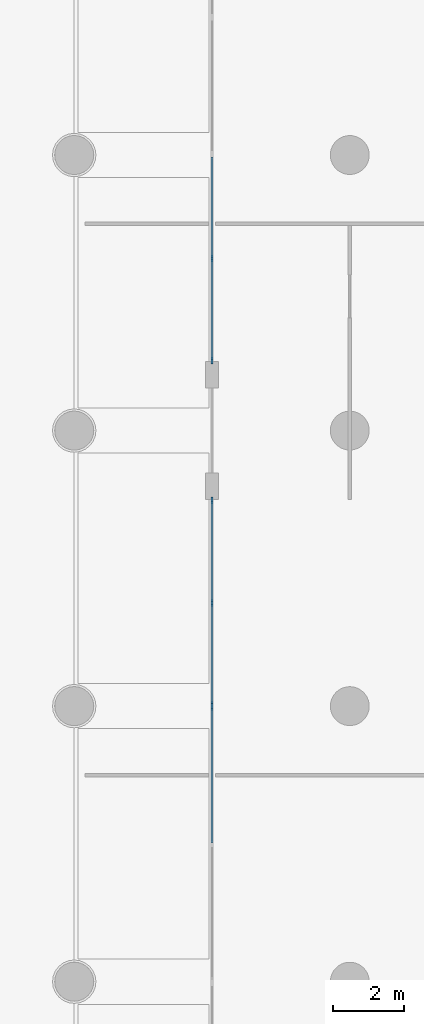
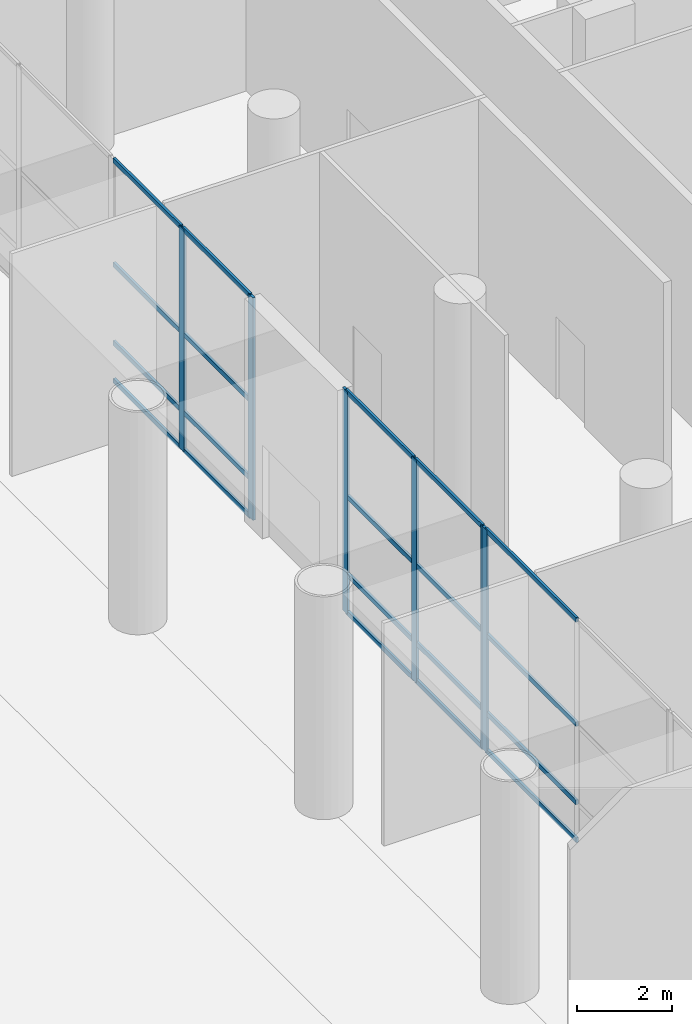
# One storey, part 3 of 32: 26 members, 3 elements without a shape of their own.
"""IFC4 building model written with IfcOpenShell, lengths in metres."""

from ifc_helpers import new_model, si_unit, direction, frame, origin, origin_2d, place, context, subcontext, project, spatial, rectangle, extrude, material, material_profile, profile_set, type_object, element, aggregate, save


model = new_model("IFC4")

# Units and contexts
model_context = context("Model", 3, precision=1e-05, world=origin(), true_north=direction((0.0, 1.0)))
body_context = subcontext(model_context, "Body", "Model", "MODEL_VIEW")
ifc_project = project(units=[si_unit("LENGTHUNIT", "METRE"), si_unit("AREAUNIT", "SQUARE_METRE"), si_unit("VOLUMEUNIT", "CUBIC_METRE"), si_unit("PLANEANGLEUNIT", "RADIAN"), si_unit("MASSUNIT", "GRAM", prefix="KILO")], contexts=[model_context])

# Site, building, storey
site_placement = place(None, origin())
site = spatial("IfcSite", under=ifc_project, at=site_placement, CompositionType="ELEMENT")
building_placement = place(site_placement, origin())
building = spatial("IfcBuilding", under=site, at=building_placement, Name="Ludao Terraces", CompositionType="ELEMENT")
storey_placement = place(building_placement, origin())
storey = spatial("IfcBuildingStorey", under=building, at=storey_placement, Name="L00", CompositionType="ELEMENT", Elevation=0.0)

# Curtain wall, member
ifc_material_1 = material(Name="Aluminium curtain wall with fritted glass", Category="aluminium")
curtain_wall_type = type_object("IfcCurtainWallType", Name="ENV CW2 entrance glazing", PredefinedType="NOTDEFINED", material=ifc_material_1)
curtain_wall_1_placement = place(storey_placement, origin())
curtain_wall_1 = element("IfcCurtainWall", 1, at=curtain_wall_1_placement, inside=storey, type_object=curtain_wall_type, Name="CW-L00-W3", PredefinedType="NOTDEFINED")
ifc_material_2 = material(Name="Aluminium 6063-T6", Category="aluminium")
ifc_material_profile_1 = material_profile(ifc_material_2, rectangle(XDim=0.06005859375, YDim=0.199951171875, at=origin_2d()), Name="60 X 200")
ifc_profile_set_1 = profile_set([ifc_material_profile_1], Name="Aluminium 6063-T6")
member_type_1 = type_object("IfcMemberType", Name="ENV CW2 mullion 60x200", PredefinedType="MULLION", material=ifc_profile_set_1)
member_1_placement = place(storey_placement, frame((49.89990234375, 49.3701171875, 0.0), z_axis=(0.0, 0.0, 1.0), x_axis=(-1.0, 0.0, 0.0)))
member_1 = element("IfcMember", 2, at=member_1_placement, type_object=member_type_1, Name="CW2 mullion 3", PredefinedType="MULLION", context=body_context, shape_type="SweptSolid", body=[
    extrude(rectangle(XDim=0.06005859375, YDim=0.199951171875, at=origin_2d()), origin(), (0.0, 0.0, 1.0), 5.699951171875),
])

# Curtain wall, members
curtain_wall_2_placement = place(storey_placement, origin())
curtain_wall_2 = element("IfcCurtainWall", 3, at=curtain_wall_2_placement, inside=storey, type_object=curtain_wall_type, Name="CW-L00-W4", PredefinedType="NOTDEFINED")
member_2_placement = place(storey_placement, frame((49.89990234375, 49.429931640625, 0.0), z_axis=(0.0, 0.0, 1.0), x_axis=(-1.0, 0.0, 0.0)))
member_2 = element("IfcMember", 4, at=member_2_placement, type_object=member_type_1, Name="CW2 mullion 1", PredefinedType="MULLION", context=body_context, shape_type="SweptSolid", body=[
    extrude(rectangle(XDim=0.06005859375, YDim=0.199951171875, at=origin_2d()), origin(), (0.0, 0.0, 1.0), 5.699951171875),
])
member_3_placement = place(storey_placement, frame((49.89990234375, 52.324951171875, 0.0), z_axis=(0.0, 0.0, 1.0), x_axis=(-1.0, 0.0, 0.0)))
member_3 = element("IfcMember", 5, at=member_3_placement, type_object=member_type_1, Name="CW2 mullion 2", PredefinedType="MULLION", context=body_context, shape_type="SweptSolid", body=[
    extrude(rectangle(XDim=0.06005859375, YDim=0.199951171875, at=origin_2d()), origin(), (0.0, 0.0, 1.0), 5.699951171875),
])
member_4_placement = place(storey_placement, frame((49.89990234375, 55.219970703125, 0.0), z_axis=(0.0, 0.0, 1.0), x_axis=(-1.0, 0.0, 0.0)))
member_4 = element("IfcMember", 6, at=member_4_placement, type_object=member_type_1, Name="CW2 mullion 3", PredefinedType="MULLION", context=body_context, shape_type="SweptSolid", body=[
    extrude(rectangle(XDim=0.06005859375, YDim=0.199951171875, at=origin_2d()), origin(), (0.0, 0.0, 1.0), 5.699951171875),
])

curtain_wall_3_placement = place(storey_placement, origin())
curtain_wall_3 = element("IfcCurtainWall", 7, at=curtain_wall_3_placement, inside=storey, type_object=curtain_wall_type, Name="CW-L00-W6", PredefinedType="NOTDEFINED")
member_5_placement = place(storey_placement, frame((49.89990234375, 59.179931640625, 0.0), z_axis=(0.0, 0.0, 1.0), x_axis=(-1.0, 0.0, 0.0)))
member_5 = element("IfcMember", 8, at=member_5_placement, type_object=member_type_1, Name="CW2 mullion 1", PredefinedType="MULLION", context=body_context, shape_type="SweptSolid", body=[
    extrude(rectangle(XDim=0.06005859375, YDim=0.199951171875, at=origin_2d()), origin(), (0.0, 0.0, 1.0), 5.699951171875),
])
member_6_placement = place(storey_placement, frame((49.89990234375, 62.074951171875, 0.0), z_axis=(0.0, 0.0, 1.0), x_axis=(-1.0, 0.0, 0.0)))
member_6 = element("IfcMember", 9, at=member_6_placement, type_object=member_type_1, Name="CW2 mullion 2", PredefinedType="MULLION", context=body_context, shape_type="SweptSolid", body=[
    extrude(rectangle(XDim=0.06005859375, YDim=0.199951171875, at=origin_2d()), origin(), (0.0, 0.0, 1.0), 5.699951171875),
])

# Member
ifc_material_profile_2 = material_profile(ifc_material_2, rectangle(XDim=0.06005859375, YDim=0.1201171875, at=origin_2d()), Name="60 X 120")
ifc_profile_set_2 = profile_set([ifc_material_profile_2], Name="Aluminium 6063-T6")
member_type_2 = type_object("IfcMemberType", Name="ENV CW2 transom 60x120", PredefinedType="USERDEFINED", material=ifc_profile_set_2)
member_7_placement = place(storey_placement, frame((49.89990234375, 45.530029296875, 0.030029296875), z_axis=(0.0, 1.0, 0.0), x_axis=(-1.0, 0.0, 0.0)))
member_7 = element("IfcMember", 10, at=member_7_placement, type_object=member_type_2, Name="CW2 transom 2.1", ObjectType="TRANSOM", PredefinedType="USERDEFINED", context=body_context, shape_type="SweptSolid", body=[
    extrude(rectangle(XDim=0.06005859375, YDim=0.1201171875, at=origin_2d()), origin(), (0.0, 0.0, 1.0), 3.81005859375),
])

member_8_placement = place(storey_placement, frame((49.89990234375, 45.530029296875, 1.0), z_axis=(0.0, 1.0, 0.0), x_axis=(-1.0, 0.0, 0.0)))
member_8 = element("IfcMember", 11, at=member_8_placement, type_object=member_type_2, Name="CW2 transom 2.2", ObjectType="TRANSOM", PredefinedType="USERDEFINED", context=body_context, shape_type="SweptSolid", body=[
    extrude(rectangle(XDim=0.06005859375, YDim=0.1201171875, at=origin_2d()), origin(), (0.0, 0.0, 1.0), 3.81005859375),
])

member_9_placement = place(storey_placement, frame((49.89990234375, 45.530029296875, 3.0), z_axis=(0.0, 1.0, 0.0), x_axis=(-1.0, 0.0, 0.0)))
member_9 = element("IfcMember", 12, at=member_9_placement, type_object=member_type_2, Name="CW2 transom 2.3", ObjectType="TRANSOM", PredefinedType="USERDEFINED", context=body_context, shape_type="SweptSolid", body=[
    extrude(rectangle(XDim=0.06005859375, YDim=0.1201171875, at=origin_2d()), origin(), (0.0, 0.0, 1.0), 3.81005859375),
])

member_10_placement = place(storey_placement, frame((49.89990234375, 45.530029296875, 5.669921875), z_axis=(0.0, 1.0, 0.0), x_axis=(-1.0, 0.0, 0.0)))
member_10 = element("IfcMember", 13, at=member_10_placement, type_object=member_type_2, Name="CW2 transom 2.4", ObjectType="TRANSOM", PredefinedType="USERDEFINED", context=body_context, shape_type="SweptSolid", body=[
    extrude(rectangle(XDim=0.06005859375, YDim=0.1201171875, at=origin_2d()), origin(), (0.0, 0.0, 1.0), 3.81005859375),
])

aggregate(curtain_wall_1, [member_1, member_7, member_8, member_9, member_10])

member_11_placement = place(storey_placement, frame((49.89990234375, 49.4599609375, 0.030029296875), z_axis=(0.0, 1.0, 0.0), x_axis=(-1.0, 0.0, 0.0)))
member_11 = element("IfcMember", 14, at=member_11_placement, type_object=member_type_2, Name="CW2 transom 1.1", ObjectType="TRANSOM", PredefinedType="USERDEFINED", context=body_context, shape_type="SweptSolid", body=[
    extrude(rectangle(XDim=0.06005859375, YDim=0.1201171875, at=origin_2d()), origin(), (0.0, 0.0, 1.0), 2.8349609375),
])

member_12_placement = place(storey_placement, frame((49.89990234375, 49.4599609375, 1.0), z_axis=(0.0, 1.0, 0.0), x_axis=(-1.0, 0.0, 0.0)))
member_12 = element("IfcMember", 15, at=member_12_placement, type_object=member_type_2, Name="CW2 transom 1.2", ObjectType="TRANSOM", PredefinedType="USERDEFINED", context=body_context, shape_type="SweptSolid", body=[
    extrude(rectangle(XDim=0.06005859375, YDim=0.1201171875, at=origin_2d()), origin(), (0.0, 0.0, 1.0), 2.8349609375),
])

member_13_placement = place(storey_placement, frame((49.89990234375, 49.4599609375, 3.0), z_axis=(0.0, 1.0, 0.0), x_axis=(-1.0, 0.0, 0.0)))
member_13 = element("IfcMember", 16, at=member_13_placement, type_object=member_type_2, Name="CW2 transom 1.3", ObjectType="TRANSOM", PredefinedType="USERDEFINED", context=body_context, shape_type="SweptSolid", body=[
    extrude(rectangle(XDim=0.06005859375, YDim=0.1201171875, at=origin_2d()), origin(), (0.0, 0.0, 1.0), 2.8349609375),
])

member_14_placement = place(storey_placement, frame((49.89990234375, 49.4599609375, 5.669921875), z_axis=(0.0, 1.0, 0.0), x_axis=(-1.0, 0.0, 0.0)))
member_14 = element("IfcMember", 17, at=member_14_placement, type_object=member_type_2, Name="CW2 transom 1.4", ObjectType="TRANSOM", PredefinedType="USERDEFINED", context=body_context, shape_type="SweptSolid", body=[
    extrude(rectangle(XDim=0.06005859375, YDim=0.1201171875, at=origin_2d()), origin(), (0.0, 0.0, 1.0), 2.8349609375),
])

member_15_placement = place(storey_placement, frame((49.89990234375, 52.35498046875, 0.030029296875), z_axis=(0.0, 1.0, 0.0), x_axis=(-1.0, 0.0, 0.0)))
member_15 = element("IfcMember", 18, at=member_15_placement, type_object=member_type_2, Name="CW2 transom 2.1", ObjectType="TRANSOM", PredefinedType="USERDEFINED", context=body_context, shape_type="SweptSolid", body=[
    extrude(rectangle(XDim=0.06005859375, YDim=0.1201171875, at=origin_2d()), origin(), (0.0, 0.0, 1.0), 2.8349609375),
])

member_16_placement = place(storey_placement, frame((49.89990234375, 52.35498046875, 1.0), z_axis=(0.0, 1.0, 0.0), x_axis=(-1.0, 0.0, 0.0)))
member_16 = element("IfcMember", 19, at=member_16_placement, type_object=member_type_2, Name="CW2 transom 2.2", ObjectType="TRANSOM", PredefinedType="USERDEFINED", context=body_context, shape_type="SweptSolid", body=[
    extrude(rectangle(XDim=0.06005859375, YDim=0.1201171875, at=origin_2d()), origin(), (0.0, 0.0, 1.0), 2.8349609375),
])

member_17_placement = place(storey_placement, frame((49.89990234375, 52.35498046875, 3.0), z_axis=(0.0, 1.0, 0.0), x_axis=(-1.0, 0.0, 0.0)))
member_17 = element("IfcMember", 20, at=member_17_placement, type_object=member_type_2, Name="CW2 transom 2.3", ObjectType="TRANSOM", PredefinedType="USERDEFINED", context=body_context, shape_type="SweptSolid", body=[
    extrude(rectangle(XDim=0.06005859375, YDim=0.1201171875, at=origin_2d()), origin(), (0.0, 0.0, 1.0), 2.8349609375),
])

member_18_placement = place(storey_placement, frame((49.89990234375, 52.35498046875, 5.669921875), z_axis=(0.0, 1.0, 0.0), x_axis=(-1.0, 0.0, 0.0)))
member_18 = element("IfcMember", 21, at=member_18_placement, type_object=member_type_2, Name="CW2 transom 2.4", ObjectType="TRANSOM", PredefinedType="USERDEFINED", context=body_context, shape_type="SweptSolid", body=[
    extrude(rectangle(XDim=0.06005859375, YDim=0.1201171875, at=origin_2d()), origin(), (0.0, 0.0, 1.0), 2.8349609375),
])

aggregate(curtain_wall_2, [member_2, member_3, member_4, member_11, member_12, member_13, member_14, member_15, member_16, member_17, member_18])

member_19_placement = place(storey_placement, frame((49.89990234375, 59.2099609375, 0.030029296875), z_axis=(0.0, 1.0, 0.0), x_axis=(-1.0, 0.0, 0.0)))
member_19 = element("IfcMember", 22, at=member_19_placement, type_object=member_type_2, Name="CW2 transom 1.1", ObjectType="TRANSOM", PredefinedType="USERDEFINED", context=body_context, shape_type="SweptSolid", body=[
    extrude(rectangle(XDim=0.06005859375, YDim=0.1201171875, at=origin_2d()), origin(), (0.0, 0.0, 1.0), 2.8349609375),
])

member_20_placement = place(storey_placement, frame((49.89990234375, 59.2099609375, 1.0), z_axis=(0.0, 1.0, 0.0), x_axis=(-1.0, 0.0, 0.0)))
member_20 = element("IfcMember", 23, at=member_20_placement, type_object=member_type_2, Name="CW2 transom 1.2", ObjectType="TRANSOM", PredefinedType="USERDEFINED", context=body_context, shape_type="SweptSolid", body=[
    extrude(rectangle(XDim=0.06005859375, YDim=0.1201171875, at=origin_2d()), origin(), (0.0, 0.0, 1.0), 2.8349609375),
])

member_21_placement = place(storey_placement, frame((49.89990234375, 59.2099609375, 3.0), z_axis=(0.0, 1.0, 0.0), x_axis=(-1.0, 0.0, 0.0)))
member_21 = element("IfcMember", 24, at=member_21_placement, type_object=member_type_2, Name="CW2 transom 1.3", ObjectType="TRANSOM", PredefinedType="USERDEFINED", context=body_context, shape_type="SweptSolid", body=[
    extrude(rectangle(XDim=0.06005859375, YDim=0.1201171875, at=origin_2d()), origin(), (0.0, 0.0, 1.0), 2.8349609375),
])

member_22_placement = place(storey_placement, frame((49.89990234375, 59.2099609375, 5.669921875), z_axis=(0.0, 1.0, 0.0), x_axis=(-1.0, 0.0, 0.0)))
member_22 = element("IfcMember", 25, at=member_22_placement, type_object=member_type_2, Name="CW2 transom 1.4", ObjectType="TRANSOM", PredefinedType="USERDEFINED", context=body_context, shape_type="SweptSolid", body=[
    extrude(rectangle(XDim=0.06005859375, YDim=0.1201171875, at=origin_2d()), origin(), (0.0, 0.0, 1.0), 2.8349609375),
])

member_23_placement = place(storey_placement, frame((49.89990234375, 62.10498046875, 0.030029296875), z_axis=(0.0, 1.0, 0.0), x_axis=(-1.0, 0.0, 0.0)))
member_23 = element("IfcMember", 26, at=member_23_placement, type_object=member_type_2, Name="CW2 transom 2.1", ObjectType="TRANSOM", PredefinedType="USERDEFINED", context=body_context, shape_type="SweptSolid", body=[
    extrude(rectangle(XDim=0.06005859375, YDim=0.1201171875, at=origin_2d()), origin(), (0.0, 0.0, 1.0), 2.8349609375),
])

member_24_placement = place(storey_placement, frame((49.89990234375, 62.10498046875, 1.0), z_axis=(0.0, 1.0, 0.0), x_axis=(-1.0, 0.0, 0.0)))
member_24 = element("IfcMember", 27, at=member_24_placement, type_object=member_type_2, Name="CW2 transom 2.2", ObjectType="TRANSOM", PredefinedType="USERDEFINED", context=body_context, shape_type="SweptSolid", body=[
    extrude(rectangle(XDim=0.06005859375, YDim=0.1201171875, at=origin_2d()), origin(), (0.0, 0.0, 1.0), 2.8349609375),
])

member_25_placement = place(storey_placement, frame((49.89990234375, 62.10498046875, 3.0), z_axis=(0.0, 1.0, 0.0), x_axis=(-1.0, 0.0, 0.0)))
member_25 = element("IfcMember", 28, at=member_25_placement, type_object=member_type_2, Name="CW2 transom 2.3", ObjectType="TRANSOM", PredefinedType="USERDEFINED", context=body_context, shape_type="SweptSolid", body=[
    extrude(rectangle(XDim=0.06005859375, YDim=0.1201171875, at=origin_2d()), origin(), (0.0, 0.0, 1.0), 2.8349609375),
])

member_26_placement = place(storey_placement, frame((49.89990234375, 62.10498046875, 5.669921875), z_axis=(0.0, 1.0, 0.0), x_axis=(-1.0, 0.0, 0.0)))
member_26 = element("IfcMember", 29, at=member_26_placement, type_object=member_type_2, Name="CW2 transom 2.4", ObjectType="TRANSOM", PredefinedType="USERDEFINED", context=body_context, shape_type="SweptSolid", body=[
    extrude(rectangle(XDim=0.06005859375, YDim=0.1201171875, at=origin_2d()), origin(), (0.0, 0.0, 1.0), 2.8349609375),
])

aggregate(curtain_wall_3, [member_5, member_6, member_19, member_20, member_21, member_22, member_23, member_24, member_25, member_26])

save(model, "model.ifc")
